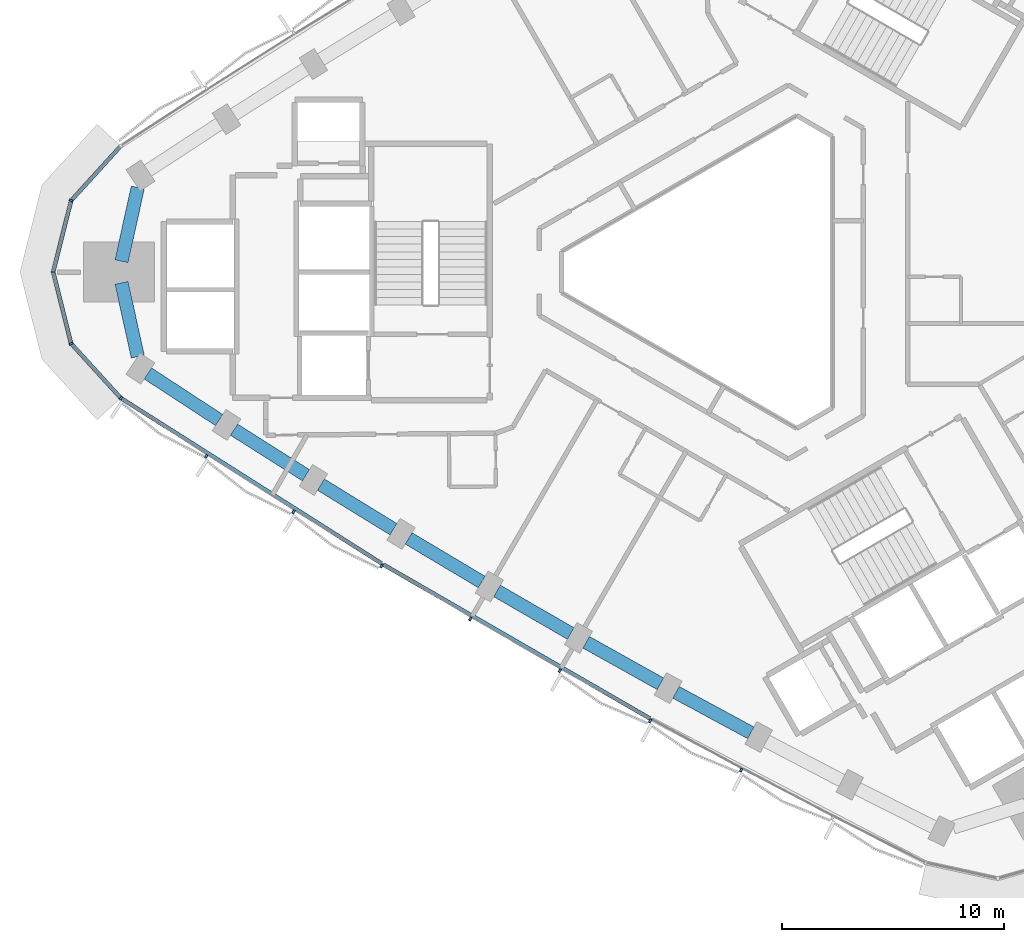
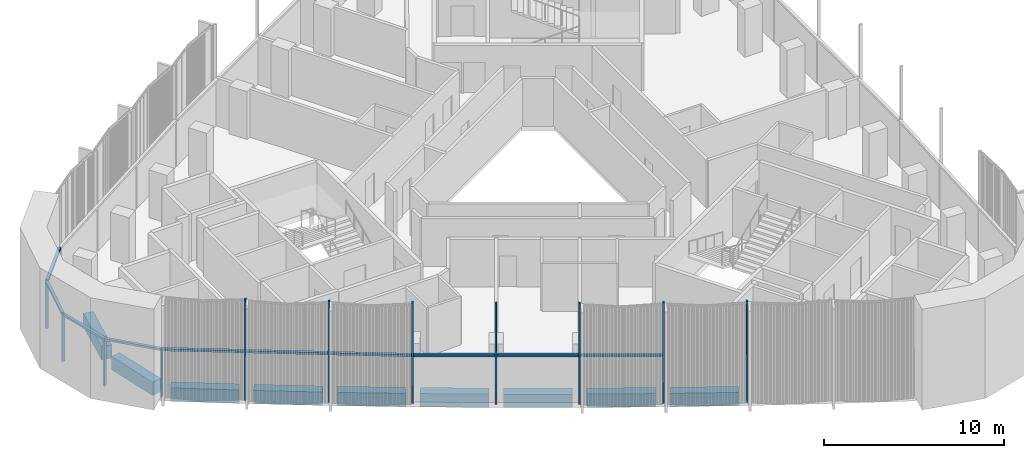
# One storey, part 2 of 14: 17 members, 9 beams, 2 elements without a shape of their own.
"""IFC4 building model written with IfcOpenShell, lengths in metres."""

import ifcopenshell
import ifcopenshell.guid

model = None  # the IFC model being written
_history = None  # IfcOwnerHistory: only IFC2X3 demands one
_inside = {}  # id of a spatial element -> (the spatial element, [elements in it])
_under = {}  # id of a project, library or spatial element -> (it, [spatial elements below it])
_declared = {}  # id of a project -> (the project, [libraries it declares])
_typed = {}  # id of a type object -> (the type object, [elements of that type])
_made_of = {}  # id of a material, layer set ... -> (it, [elements and type objects made of it])


def new_model(schema):
    """Start an empty IFC model of exactly this schema.

    Asked for "IFC4X3", IfcOpenShell would pick the latest addendum, in which some entities
    have other attributes; the version numbers below select the first issue.
    IFC2X3 requires an IfcOwnerHistory on every rooted entity: one is made here for all.
    """
    global model, _history
    if schema == "IFC4X3":
        model = ifcopenshell.file(schema_version=(4, 3, 0, 0))
    else:
        model = ifcopenshell.file(schema=schema)
    _inside.clear()
    _under.clear()
    _declared.clear()
    _typed.clear()
    _made_of.clear()
    _history = None
    if model.schema == "IFC2X3":
        org = make("IfcOrganization", Name="unknown")
        user = make(
            "IfcPersonAndOrganization",
            ThePerson=make("IfcPerson", FamilyName="unknown"),
            TheOrganization=org,
        )
        app = make(
            "IfcApplication",
            ApplicationDeveloper=org,
            Version="unknown",
            ApplicationFullName="unknown",
            ApplicationIdentifier="unknown",
        )
        _history = make(
            "IfcOwnerHistory",
            OwningUser=user,
            OwningApplication=app,
            ChangeAction="ADDED",
            CreationDate=0,
        )
    return model


def make(cls, **values):
    """One entity of the class cls with the attributes given. An attribute that is None is left unset."""
    return model.create_entity(
        cls, **{name: value for name, value in values.items() if value is not None}
    )


def rooted(cls, **values):
    """An entity with a GlobalId (a new one), such as an element, a storey or a relation."""
    return make(cls, GlobalId=ifcopenshell.guid.new(), OwnerHistory=_history, **values)


def si_unit(unit_type, name, prefix=None):
    """IfcSIUnit, for example si_unit("LENGTHUNIT", "METRE", prefix="MILLI")."""
    return make("IfcSIUnit", UnitType=unit_type, Prefix=prefix, Name=name)


def assignment(units):
    """IfcUnitAssignment: the units of a project."""
    return None if units is None else make("IfcUnitAssignment", Units=units)


def point(xyz):
    """IfcCartesianPoint."""
    return None if xyz is None else make("IfcCartesianPoint", Coordinates=xyz)


def direction(xyz):
    """IfcDirection."""
    return None if xyz is None else make("IfcDirection", DirectionRatios=xyz)


def frame(location, z_axis=None, x_axis=None):
    """IfcAxis2Placement3D, a coordinate frame: its origin and axes. An axis left out is left unset."""
    return make(
        "IfcAxis2Placement3D",
        Location=point(location),
        Axis=direction(z_axis),
        RefDirection=direction(x_axis),
    )


def frame_2d(location, x_axis=None):
    """IfcAxis2Placement2D, a coordinate frame in the plane: its origin and x axis."""
    return make(
        "IfcAxis2Placement2D", Location=point(location), RefDirection=direction(x_axis)
    )


def origin():
    """The frame at (0, 0, 0) with its axes left unset."""
    return frame((0.0, 0.0, 0.0))


def origin_2d():
    """The frame at (0, 0) in the plane with its x axis left unset."""
    return frame_2d((0.0, 0.0))


def place(relative_to, where):
    """IfcLocalPlacement: puts the frame where relative to a parent placement (None: the world)."""
    return make(
        "IfcLocalPlacement", PlacementRelTo=relative_to, RelativePlacement=where
    )


def context(
    kind, dimensions, precision=None, world=None, true_north=None, identifier=None
):
    """IfcGeometricRepresentationContext, for example the 3D "Model" context."""
    return make(
        "IfcGeometricRepresentationContext",
        ContextIdentifier=identifier,
        ContextType=kind,
        CoordinateSpaceDimension=dimensions,
        Precision=precision,
        WorldCoordinateSystem=world,
        TrueNorth=true_north,
    )


def subcontext(parent, identifier, kind, view, scale=None):
    """IfcGeometricRepresentationSubContext, for example "Body" below "Model"."""
    return make(
        "IfcGeometricRepresentationSubContext",
        ContextIdentifier=identifier,
        ContextType=kind,
        ParentContext=parent,
        TargetScale=scale,
        TargetView=view,
    )


def project(units=None, contexts=None):
    """IfcProject with its units and contexts."""
    return rooted(
        "IfcProject",
        Name="project",
        RepresentationContexts=contexts,
        UnitsInContext=assignment(units),
    )


def spatial(cls, under=None, at=None, **own):
    """A site, building, storey or space (cls), placed at a placement, below another one or the project."""
    s = rooted(cls, ObjectPlacement=at, **own)
    if under is not None:
        _under.setdefault(under.id(), (under, []))[1].append(s)
    return s


def profile(cls, at=None, kind="AREA", **sizes):
    """A parametric profile (cls). Its sizes go by their IFC names, for example OverallWidth=200.0."""
    return make(cls, ProfileType=kind, Position=at, **sizes)


def rectangle(**sizes):
    """IfcRectangleProfileDef."""
    return profile("IfcRectangleProfileDef", **sizes)


def extrude(swept, where, along, depth):
    """IfcExtrudedAreaSolid: the profile swept, set in the frame where, extruded along a direction by depth."""
    return make(
        "IfcExtrudedAreaSolid",
        SweptArea=swept,
        Position=where,
        ExtrudedDirection=direction(along),
        Depth=depth,
    )


def shape(context_of_items, identifier, shape_type, items):
    """IfcShapeRepresentation: the items that make up one representation, for example the "Body"."""
    return make(
        "IfcShapeRepresentation",
        ContextOfItems=context_of_items,
        RepresentationIdentifier=identifier,
        RepresentationType=shape_type,
        Items=items,
    )


def material(Name=None, Category=None):
    """IfcMaterial."""
    return make("IfcMaterial", Name=Name, Category=Category)


def material_profile(
    of_material, cross_section, Name=None, Category=None, Priority=None
):
    """IfcMaterialProfile: a cross section and its material."""
    return make(
        "IfcMaterialProfile",
        Name=Name,
        Material=of_material,
        Profile=cross_section,
        Priority=Priority,
        Category=Category,
    )


def profile_set(profiles, Name=None, composite=None):
    """IfcMaterialProfileSet."""
    return make(
        "IfcMaterialProfileSet",
        Name=Name,
        MaterialProfiles=profiles,
        CompositeProfile=composite,
    )


def made_of(thing, what):
    """Note that an element or type object is made of a material, layer set ...; save() writes the relation."""
    if what is not None:
        _made_of.setdefault(what.id(), (what, []))[1].append(thing)
    return thing


def type_object(cls, material=None, **own):
    """A type object (cls), such as IfcWallType, which elements share."""
    return made_of(rooted(cls, **own), material)


def element(
    cls,
    number,
    at=None,
    inside=None,
    cuts=None,
    type_object=None,
    material=None,
    context=None,
    identifier="Body",
    shape_type=None,
    held_by="IfcProductDefinitionShape",
    body=None,
    shapes=None,
    **own,
):
    """One element of the class cls, such as IfcWall. Its Tag is "e" and its number.

    at: its placement. inside: the storey or other place that contains it. cuts: it is an
    opening in that element (IfcRelVoidsElement). A single representation is given by context,
    identifier, shape_type and body (its items); several are given by shapes. held_by: the class
    of the entity that holds the representations. save() writes the other relations.
    """
    e = rooted(cls, Tag="e%d" % number, ObjectPlacement=at, **own)
    if body is not None:
        shapes = [shape(context, identifier, shape_type, body)]
    if shapes is not None:
        e.Representation = make(held_by, Representations=shapes)
    if inside is not None:
        _inside.setdefault(inside.id(), (inside, []))[1].append(e)
    if cuts is not None:
        rooted(
            "IfcRelVoidsElement", RelatingBuildingElement=cuts, RelatedOpeningElement=e
        )
    if type_object is not None:
        _typed.setdefault(type_object.id(), (type_object, []))[1].append(e)
    return made_of(e, material)


def aggregate(whole, parts):
    """IfcRelAggregates: a whole, such as a stair, and the parts it consists of."""
    return rooted("IfcRelAggregates", RelatingObject=whole, RelatedObjects=parts)


def save(model, path):
    """Write the relations noted so far, then the file.

    IfcRelAggregates (storeys below a building ...), IfcRelContainedInSpatialStructure (elements
    in a storey), IfcRelDefinesByType, IfcRelAssociatesMaterial and IfcRelDeclares: one each for
    every whole, place, type object, material and project.
    """
    for whole, parts in _under.values():
        aggregate(whole, parts)
    for where, things in _inside.values():
        rooted(
            "IfcRelContainedInSpatialStructure",
            RelatedElements=things,
            RelatingStructure=where,
        )
    for kind, things in _typed.values():
        rooted("IfcRelDefinesByType", RelatedObjects=things, RelatingType=kind)
    for what, things in _made_of.values():
        rooted("IfcRelAssociatesMaterial", RelatedObjects=things, RelatingMaterial=what)
    for by, libraries in _declared.values():
        rooted("IfcRelDeclares", RelatingContext=by, RelatedDefinitions=libraries)
    model.write(path)


model = new_model("IFC4")

# Units and contexts
model_context = context("Model", 3, precision=1e-05, world=origin(), true_north=direction((0.0, 1.0)))
body_context = subcontext(model_context, "Body", "Model", "MODEL_VIEW")
ifc_project = project(units=[si_unit("LENGTHUNIT", "METRE"), si_unit("AREAUNIT", "SQUARE_METRE"), si_unit("VOLUMEUNIT", "CUBIC_METRE"), si_unit("PLANEANGLEUNIT", "RADIAN"), si_unit("MASSUNIT", "GRAM", prefix="KILO")], contexts=[model_context])

# Site, building, storey
site_placement = place(None, origin())
site = spatial("IfcSite", under=ifc_project, at=site_placement, CompositionType="ELEMENT")
building_placement = place(site_placement, origin())
building = spatial("IfcBuilding", under=site, at=building_placement, Name="Tamra Quay Hotel Tower", CompositionType="ELEMENT")
storey_placement = place(building_placement, frame((0.0, 0.0, 175.60009765625)))
storey = spatial("IfcBuildingStorey", under=building, at=storey_placement, Name="L43", CompositionType="ELEMENT", Elevation=175.60009765625)

# Curtain wall, members
ifc_material_1 = material(Name="Aluminium 6063 anodised dark grey", Category="aluminium")
curtain_wall_type_1 = type_object("IfcCurtainWallType", Name="CW2 CURTAIN WALL", PredefinedType="NOTDEFINED", material=ifc_material_1)
curtain_wall_1_placement = place(storey_placement, origin())
curtain_wall_1 = element("IfcCurtainWall", 1, at=curtain_wall_1_placement, inside=storey, type_object=curtain_wall_type_1, Name="CW2 north-west face L43", PredefinedType="NOTDEFINED")
ifc_material_profile_1 = material_profile(ifc_material_1, rectangle(XDim=0.179931640625, YDim=0.10009765625, at=origin_2d()), Name="MULLION 100X180")
ifc_profile_set_1 = profile_set([ifc_material_profile_1], Name="Aluminium 6063 anodised dark grey")
member_type_1 = type_object("IfcMemberType", Name="MULLION CW2 Z4", PredefinedType="MULLION", material=ifc_profile_set_1)
member_1_placement = place(storey_placement, frame((-29.7216796875, 3.227294921875, 0.0), z_axis=(0.0, 0.0, 1.0), x_axis=(-0.881097509676, 0.472934645002, 0.0)))
member_1 = element("IfcMember", 2, at=member_1_placement, type_object=member_type_1, Name="CW2 mullion L43.NW.11", PredefinedType="MULLION", context=body_context, shape_type="SweptSolid", body=[
    extrude(rectangle(XDim=0.179931640625, YDim=0.10009765625, at=origin_2d()), origin(), (0.0, 0.0, 1.0), 3.25),
])
member_2_placement = place(storey_placement, frame((-30.532958984375, 0.0, 0.0), z_axis=(0.0, 0.0, 1.0), x_axis=(-1.0, 0.0, 0.0)))
member_2 = element("IfcMember", 3, at=member_2_placement, type_object=member_type_1, Name="CW2 mullion L43.NW.12", PredefinedType="MULLION", context=body_context, shape_type="SweptSolid", body=[
    extrude(rectangle(XDim=0.179931640625, YDim=0.10009765625, at=origin_2d()), origin(), (0.0, 0.0, 1.0), 3.25),
])
member_3_placement = place(storey_placement, frame((-29.7216796875, -3.227294921875, 0.0), z_axis=(0.0, 0.0, 1.0), x_axis=(-0.881097509676, -0.472934645002, 0.0)))
member_3 = element("IfcMember", 4, at=member_3_placement, type_object=member_type_1, Name="CW2 mullion L43.NW.13", PredefinedType="MULLION", context=body_context, shape_type="SweptSolid", body=[
    extrude(rectangle(XDim=0.179931640625, YDim=0.10009765625, at=origin_2d()), origin(), (0.0, 0.0, 1.0), 3.25),
])

curtain_wall_type_2 = type_object("IfcCurtainWallType", Name="CW3 CURTAIN WALL", PredefinedType="NOTDEFINED", material=ifc_material_1)
curtain_wall_2_placement = place(storey_placement, origin())
curtain_wall_2 = element("IfcCurtainWall", 5, at=curtain_wall_2_placement, inside=storey, type_object=curtain_wall_type_2, Name="CW3 south-west face L43", PredefinedType="NOTDEFINED")
ifc_material_profile_2 = material_profile(ifc_material_1, rectangle(XDim=0.179931640625, YDim=0.10009765625, at=origin_2d()), Name="MULLION 100X180")
ifc_profile_set_2 = profile_set([ifc_material_profile_2], Name="Aluminium 6063 anodised dark grey")
member_type_2 = type_object("IfcMemberType", Name="MULLION CW3 Z4", PredefinedType="MULLION", material=ifc_profile_set_2)
member_4_placement = place(storey_placement, frame((-27.48046875, -5.687255859375, 0.0), z_axis=(0.0, 0.0, 1.0), x_axis=(-0.648381346761, -0.7613157224, 0.0)))
member_4 = element("IfcMember", 6, at=member_4_placement, type_object=member_type_2, Name="CW3 mullion L43.SW.1", PredefinedType="MULLION", context=body_context, shape_type="SweptSolid", body=[
    extrude(rectangle(XDim=0.179931640625, YDim=0.10009765625, at=origin_2d()), origin(), (0.0, 0.0, 1.0), 3.25),
])
member_5_placement = place(storey_placement, frame((-23.629150390625, -8.3125, 0.0), z_axis=(0.0, 0.0, 1.0), x_axis=(-0.541421874538, -0.840751065282, 0.0)))
member_5 = element("IfcMember", 7, at=member_5_placement, type_object=member_type_2, Name="CW3 mullion L43.SW.2", PredefinedType="MULLION", context=body_context, shape_type="SweptSolid", body=[
    extrude(rectangle(XDim=0.179931640625, YDim=0.10009765625, at=origin_2d()), origin(), (0.0, 0.0, 1.0), 6.849853515625),
])
member_6_placement = place(storey_placement, frame((-19.69287109375, -10.80908203125, 0.0), z_axis=(0.0, 0.0, 1.0), x_axis=(-0.52973095248, -0.848165737332, 0.0)))
member_6 = element("IfcMember", 8, at=member_6_placement, type_object=member_type_2, Name="CW3 mullion L43.SW.3", PredefinedType="MULLION", context=body_context, shape_type="SweptSolid", body=[
    extrude(rectangle(XDim=0.179931640625, YDim=0.10009765625, at=origin_2d()), origin(), (0.0, 0.0, 1.0), 6.849853515625),
])
member_7_placement = place(storey_placement, frame((-15.72314453125, -13.25048828125, 0.0), z_axis=(0.0, 0.0, 1.0), x_axis=(-0.517922563187, -0.855427506304, 0.0)))
member_7 = element("IfcMember", 9, at=member_7_placement, type_object=member_type_2, Name="CW3 mullion L43.SW.4", PredefinedType="MULLION", context=body_context, shape_type="SweptSolid", body=[
    extrude(rectangle(XDim=0.179931640625, YDim=0.10009765625, at=origin_2d()), origin(), (0.0, 0.0, 1.0), 6.849853515625),
])
member_8_placement = place(storey_placement, frame((-11.718994140625, -15.636962890625, 0.0), z_axis=(0.0, 0.0, 1.0), x_axis=(-0.506000904801, -0.862532946814, 0.0)))
member_8 = element("IfcMember", 10, at=member_8_placement, type_object=member_type_2, Name="CW3 mullion L43.SW.5", PredefinedType="MULLION", context=body_context, shape_type="SweptSolid", body=[
    extrude(rectangle(XDim=0.179931640625, YDim=0.10009765625, at=origin_2d()), origin(), (0.0, 0.0, 1.0), 6.849853515625),
])
member_9_placement = place(storey_placement, frame((-7.682373046875, -17.967529296875, 0.0), z_axis=(0.0, 0.0, 1.0), x_axis=(-0.493974991142, -0.869476111303, 0.0)))
member_9 = element("IfcMember", 11, at=member_9_placement, type_object=member_type_2, Name="CW3 mullion L43.SW.6", PredefinedType="MULLION", context=body_context, shape_type="SweptSolid", body=[
    extrude(rectangle(XDim=0.179931640625, YDim=0.10009765625, at=origin_2d()), origin(), (0.0, 0.0, 1.0), 6.849853515625),
])
member_10_placement = place(storey_placement, frame((-3.613525390625, -20.24169921875, 0.0), z_axis=(0.0, 0.0, 1.0), x_axis=(-0.481860669962, -0.876247850065, 0.0)))
member_10 = element("IfcMember", 12, at=member_10_placement, type_object=member_type_2, Name="CW3 mullion L43.SW.7", PredefinedType="MULLION", context=body_context, shape_type="SweptSolid", body=[
    extrude(rectangle(XDim=0.179931640625, YDim=0.10009765625, at=origin_2d()), origin(), (0.0, 0.0, 1.0), 6.849853515625),
])
member_11_placement = place(storey_placement, frame((0.4853515625, -22.458984375, 0.0), z_axis=(0.0, 0.0, 1.0), x_axis=(-0.469667598909, -0.882843330685, 0.0)))
member_11 = element("IfcMember", 13, at=member_11_placement, type_object=member_type_2, Name="CW3 mullion L43.SW.8", PredefinedType="MULLION", context=body_context, shape_type="SweptSolid", body=[
    extrude(rectangle(XDim=0.179931640625, YDim=0.10009765625, at=origin_2d()), origin(), (0.0, 0.0, 1.0), 6.849853515625),
])

# Beams
ifc_material_2 = material(Name="Concrete M60", Category="concrete")
ifc_material_profile_3 = material_profile(ifc_material_2, rectangle(XDim=0.60009765625, YDim=0.89990234375, at=origin_2d()), Name="SPANDREL BEAM RC 600x900")
ifc_profile_set_3 = profile_set([ifc_material_profile_3], Name="Concrete M60")
beam_type = type_object("IfcBeamType", Name="SPANDREL BEAM RC 600x900", PredefinedType="SPANDREL", material=ifc_profile_set_3)
for number, where, z_axis, x_axis, name in (
    (14, (-26.716552734375, 3.811767578125, -0.800048828125), (-0.215798858353, -0.976437838643, 0.0), (0.976437838643, -0.215798858353, 0.0), "BM-SP4-020-L43"),
    (15, (-27.451171875, -0.48779296875, -0.800048828125), (0.215798858353, -0.976437838643, 0.0), (0.976437838643, 0.215798858353, 0.0), "BM-SP4-021-L43"),
):
    element("IfcBeam", number, at=place(storey_placement, frame(where, z_axis=z_axis, x_axis=x_axis)), inside=storey, type_object=beam_type, Name=name, PredefinedType="SPANDREL", context=body_context, shape_type="SweptSolid", body=[
        extrude(rectangle(XDim=0.60009765625, YDim=0.89990234375, at=origin_2d()), origin(), (0.0, 0.0, 1.0), 3.404296875),
    ])
for number, where, z_axis, x_axis, name in (
    (16, (-26.26171875, -4.573486328125, -0.800048828125), (0.836969613974, -0.547249362983, 0.0), (0.547249362983, 0.836969613974, 0.0), "BM-SP4-022-L43"),
    (17, (-22.377197265625, -7.106689453125, -0.800048828125), (0.844469978785, -0.535602889211, 0.0), (0.535602889211, 0.844469978785, 0.0), "BM-SP4-023-L43"),
):
    element("IfcBeam", number, at=place(storey_placement, frame(where, z_axis=z_axis, x_axis=x_axis)), inside=storey, type_object=beam_type, Name=name, PredefinedType="SPANDREL", context=body_context, shape_type="SweptSolid", body=[
        extrude(rectangle(XDim=0.60009765625, YDim=0.89990234375, at=origin_2d()), origin(), (0.0, 0.0, 1.0), 3.837646484375),
    ])
beam_1_placement = place(storey_placement, frame((-18.4580078125, -9.585693359375, -0.800048828125), z_axis=(0.851817714835, -0.523838315411, 0.0), x_axis=(0.523838315411, 0.851817714835, 0.0)))
element("IfcBeam", 18, at=beam_1_placement, inside=storey, type_object=beam_type, Name="BM-SP4-024-L43", PredefinedType="SPANDREL", context=body_context, shape_type="SweptSolid", body=[
    extrude(rectangle(XDim=0.60009765625, YDim=0.89990234375, at=origin_2d()), origin(), (0.0, 0.0, 1.0), 3.837890625),
])
beam_2_placement = place(storey_placement, frame((-14.50439453125, -12.010498046875, -0.800048828125), z_axis=(0.858982487636, -0.512004966708, 0.0), x_axis=(0.512004966708, 0.858982487636, 0.0)))
element("IfcBeam", 19, at=beam_2_placement, inside=storey, type_object=beam_type, Name="BM-SP4-025-L43", PredefinedType="SPANDREL", context=body_context, shape_type="SweptSolid", body=[
    extrude(rectangle(XDim=0.60009765625, YDim=0.89990234375, at=origin_2d()), origin(), (0.0, 0.0, 1.0), 3.837646484375),
])
for number, where, z_axis, x_axis, name in (
    (20, (-10.517822265625, -14.380126953125, -0.800048828125), (0.866022424722, -0.500005159851, 0.0), (0.500005159851, 0.866022424722, 0.0), "BM-SP4-026-L43"),
    (21, (-6.4990234375, -16.694091796875, -0.800048828125), (0.872890885292, -0.487915466422, 0.0), (0.487915466422, 0.872890885292, 0.0), "BM-SP4-027-L43"),
):
    element("IfcBeam", number, at=place(storey_placement, frame(where, z_axis=z_axis, x_axis=x_axis)), inside=storey, type_object=beam_type, Name=name, PredefinedType="SPANDREL", context=body_context, shape_type="SweptSolid", body=[
        extrude(rectangle(XDim=0.60009765625, YDim=0.89990234375, at=origin_2d()), origin(), (0.0, 0.0, 1.0), 3.83740234375),
    ])
beam_3_placement = place(storey_placement, frame((-2.448486328125, -18.951904296875, -0.800048828125), z_axis=(0.879589264525, -0.475733881211, 0.0), x_axis=(0.475733881211, 0.879589264525, 0.0)))
element("IfcBeam", 22, at=beam_3_placement, inside=storey, type_object=beam_type, Name="BM-SP4-028-L43", PredefinedType="SPANDREL", context=body_context, shape_type="SweptSolid", body=[
    extrude(rectangle(XDim=0.60009765625, YDim=0.89990234375, at=origin_2d()), origin(), (0.0, 0.0, 1.0), 3.838134765625),
])

# Member
ifc_material_profile_4 = material_profile(ifc_material_1, rectangle(XDim=0.179931640625, YDim=0.139892578125, at=origin_2d()), Name="TRANSOM 180X140")
ifc_profile_set_4 = profile_set([ifc_material_profile_4], Name="Aluminium 6063 anodised dark grey")
member_type_3 = type_object("IfcMemberType", Name="TRANSOM CW2 Z4", PredefinedType="USERDEFINED", material=ifc_profile_set_4)
member_12_placement = place(storey_placement, frame((-27.513916015625, 5.650146484375, 3.179931640625), z_axis=(-0.673519383869, -0.739169560759, 0.0), x_axis=(0.739169560759, -0.673519383869, 0.0)))
member_12 = element("IfcMember", 23, at=member_12_placement, type_object=member_type_3, Name="CW2 transom L43.NW.10", ObjectType="TRANSOM", PredefinedType="USERDEFINED", context=body_context, shape_type="SweptSolid", body=[
    extrude(rectangle(XDim=0.179931640625, YDim=0.139892578125, at=origin_2d()), origin(), (0.0, 0.0, 1.0), 3.22802734375),
])

member_13_placement = place(storey_placement, frame((-29.73388671875, 3.1787109375, 3.179931640625), z_axis=(-0.243799111264, -0.969825754116, 0.0), x_axis=(0.969825754116, -0.243799111264, 0.0)))
member_13 = element("IfcMember", 24, at=member_13_placement, type_object=member_type_3, Name="CW2 transom L43.NW.11", ObjectType="TRANSOM", PredefinedType="USERDEFINED", context=body_context, shape_type="SweptSolid", body=[
    extrude(rectangle(XDim=0.179931640625, YDim=0.139892578125, at=origin_2d()), origin(), (0.0, 0.0, 1.0), 3.2275390625),
])

member_14_placement = place(storey_placement, frame((-30.520751953125, -0.048583984375, 3.179931640625), z_axis=(0.243799111264, -0.969825754116, 0.0), x_axis=(0.969825754116, 0.243799111264, 0.0)))
member_14 = element("IfcMember", 25, at=member_14_placement, type_object=member_type_3, Name="CW2 transom L43.NW.12", ObjectType="TRANSOM", PredefinedType="USERDEFINED", context=body_context, shape_type="SweptSolid", body=[
    extrude(rectangle(XDim=0.179931640625, YDim=0.139892578125, at=origin_2d()), origin(), (0.0, 0.0, 1.0), 3.2275390625),
])

member_15_placement = place(storey_placement, frame((-29.68798828125, -3.26416015625, 3.179931640625), z_axis=(0.673519383869, -0.739169560759, 0.0), x_axis=(0.739169560759, 0.673519383869, 0.0)))
member_15 = element("IfcMember", 26, at=member_15_placement, type_object=member_type_3, Name="CW2 transom L43.NW.13", ObjectType="TRANSOM", PredefinedType="USERDEFINED", context=body_context, shape_type="SweptSolid", body=[
    extrude(rectangle(XDim=0.179931640625, YDim=0.139892578125, at=origin_2d()), origin(), (0.0, 0.0, 1.0), 3.22802734375),
])

aggregate(curtain_wall_1, [member_12, member_1, member_13, member_2, member_14, member_3, member_15])

ifc_material_profile_5 = material_profile(ifc_material_1, rectangle(XDim=0.179931640625, YDim=0.139892578125, at=origin_2d()), Name="TRANSOM 180X140")
ifc_profile_set_5 = profile_set([ifc_material_profile_5], Name="Aluminium 6063 anodised dark grey")
member_type_4 = type_object("IfcMemberType", Name="TRANSOM CW3 Z4", PredefinedType="USERDEFINED", material=ifc_profile_set_5)
member_16_placement = place(storey_placement, frame((-27.4384765625, -5.714599609375, 3.179931640625), z_axis=(0.844484125962, -0.535580583105, 0.0), x_axis=(0.535580583105, 0.844484125962, 0.0)))
member_16 = element("IfcMember", 27, at=member_16_placement, type_object=member_type_4, Name="CW3 transom L43.SW.1", ObjectType="TRANSOM", PredefinedType="USERDEFINED", context=body_context, shape_type="SweptSolid", body=[
    extrude(rectangle(XDim=0.179931640625, YDim=0.139892578125, at=origin_2d()), origin(), (0.0, 0.0, 1.0), 13.877685546875),
])

member_17_placement = place(storey_placement, frame((-15.633544921875, -13.198974609375, 3.179931640625), z_axis=(0.866018612845, -0.500011762068, 0.0), x_axis=(0.500011762068, 0.866018612845, 0.0)))
member_17 = element("IfcMember", 28, at=member_17_placement, type_object=member_type_4, Name="CW3 transom L43.SW.4", ObjectType="TRANSOM", PredefinedType="USERDEFINED", context=body_context, shape_type="SweptSolid", body=[
    extrude(rectangle(XDim=0.179931640625, YDim=0.139892578125, at=origin_2d()), origin(), (0.0, 0.0, 1.0), 13.879150390625),
])

aggregate(curtain_wall_2, [member_4, member_16, member_5, member_6, member_7, member_17, member_8, member_9, member_10, member_11])

save(model, "model.ifc")
